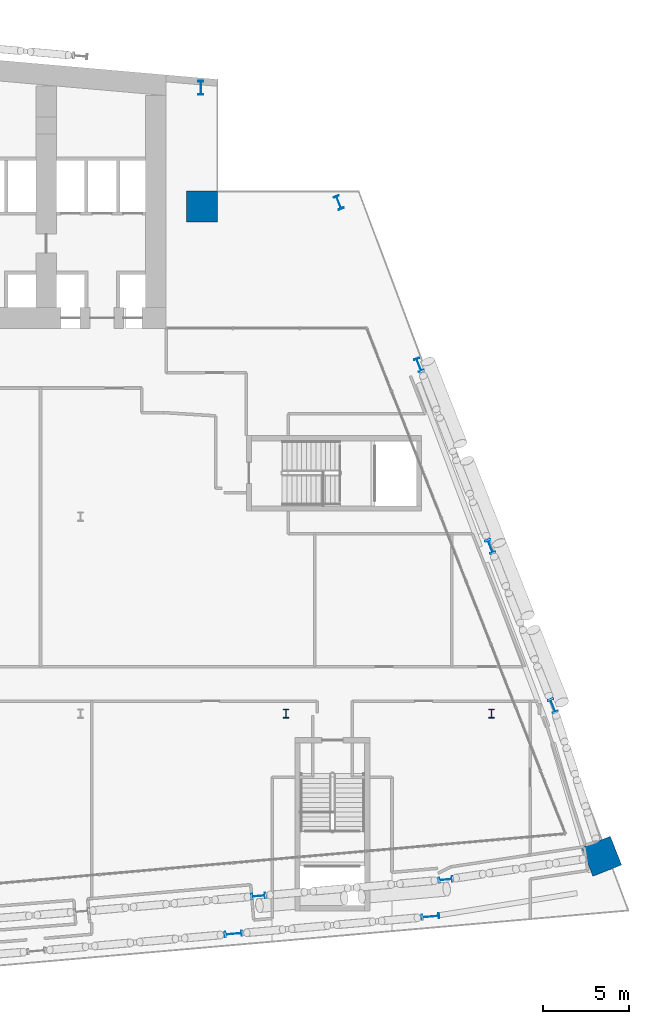
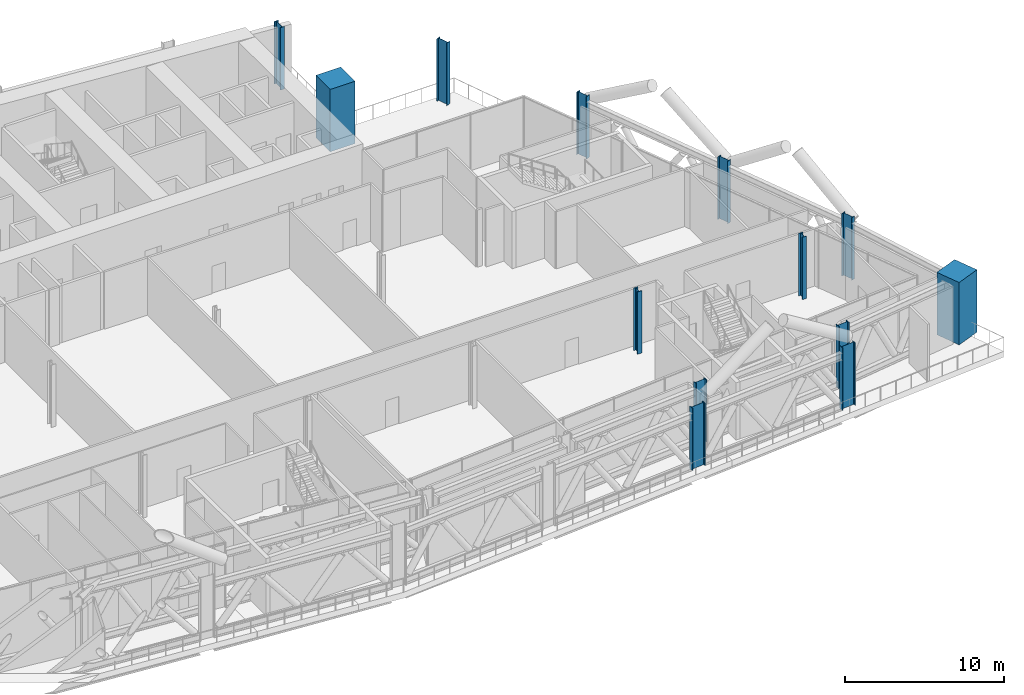
# One storey, part 4 of 39: 13 columns.
"""IFC4 building model written with IfcOpenShell, lengths in metres."""

from ifc_helpers import new_model, si_unit, direction, frame, origin, origin_2d, place, context, subcontext, project, spatial, rectangle, i_section, extrude, material, material_profile, profile_set, type_object, element, save


model = new_model("IFC4")

# Units and contexts
model_context = context("Model", 3, precision=1e-05, world=origin(), true_north=direction((0.0, 1.0)))
body_context = subcontext(model_context, "Body", "Model", "MODEL_VIEW")
ifc_project = project(units=[si_unit("LENGTHUNIT", "METRE"), si_unit("AREAUNIT", "SQUARE_METRE"), si_unit("VOLUMEUNIT", "CUBIC_METRE"), si_unit("PLANEANGLEUNIT", "RADIAN"), si_unit("MASSUNIT", "GRAM", prefix="KILO")], contexts=[model_context])

# Site, building, storey
site_placement = place(None, origin())
site = spatial("IfcSite", under=ifc_project, at=site_placement, CompositionType="ELEMENT")
building_placement = place(site_placement, origin())
building = spatial("IfcBuilding", under=site, at=building_placement, Name="Wharfspan Tower", CompositionType="ELEMENT")
storey_placement = place(building_placement, frame((0.0, 0.0, 91.899902)))
storey = spatial("IfcBuildingStorey", under=building, at=storey_placement, Name="L20", CompositionType="ELEMENT", Elevation=91.899902)

# Columns
ifc_material_1 = material(Name="Steel S355J2", Category="steel")
ifc_material_profile_1 = material_profile(ifc_material_1, i_section(OverallWidth=0.302002, OverallDepth=1.008057, WebThickness=0.020996, FlangeThickness=0.040039, FilletRadius=0.030029, at=origin_2d()))
ifc_profile_set_1 = profile_set([ifc_material_profile_1], Name="Steel S355J2")
column_type_1 = type_object("IfcColumnType", Name="Column HEM 1000", PredefinedType="COLUMN", material=ifc_profile_set_1)
for number, where, z_axis, x_axis, name in (
    (1, (68.942383, -1.354736, 0.0), (0.0, 0.0, 1.0), (0.087156, -0.996198, 0.0), "Perimeter column PS2.2.S L20"),
    (2, (80.442383, -0.348633, 0.0), (0.0, 0.0, 1.0), (0.087156, -0.996198, 0.0), "Perimeter column PS2.3.S L20"),
):
    element("IfcColumn", number, at=place(storey_placement, frame(where, z_axis=z_axis, x_axis=x_axis)), inside=storey, type_object=column_type_1, Name=name, PredefinedType="COLUMN", context=body_context, shape_type="SweptSolid", body=[
        extrude(i_section(OverallWidth=0.302002, OverallDepth=1.008057, WebThickness=0.020996, FlangeThickness=0.040039, FilletRadius=0.030029, at=origin_2d()), origin(), (0.0, 0.0, 1.0), 4.800049),
    ])
ifc_material_profile_2 = material_profile(ifc_material_1, i_section(OverallWidth=0.305908, OverallDepth=0.523926, WebThickness=0.020996, FlangeThickness=0.040039, FilletRadius=0.0271, at=origin_2d()))
ifc_profile_set_2 = profile_set([ifc_material_profile_2], Name="Steel S355J2")
column_type_2 = type_object("IfcColumnType", Name="Column HEM 500", PredefinedType="COLUMN", material=ifc_profile_set_2)
for number, where, z_axis, x_axis, name in (
    (3, (72.0, 11.5, 0.0), (0.0, 0.0, 1.0), (1.0, 0.0, 0.0), "Interior column I.1.6 L20"),
    (4, (84.0, 11.5, 0.0), (0.0, 0.0, 1.0), (1.0, 0.0, 0.0), "Interior column I.1.7 L20"),
):
    element("IfcColumn", number, at=place(storey_placement, frame(where, z_axis=z_axis, x_axis=x_axis)), inside=storey, type_object=column_type_2, Name=name, PredefinedType="COLUMN", context=body_context, shape_type="SweptSolid", body=[
        extrude(i_section(OverallWidth=0.305908, OverallDepth=0.523926, WebThickness=0.020996, FlangeThickness=0.040039, FilletRadius=0.0271, at=origin_2d()), origin(), (0.0, 0.0, 1.0), 4.800049),
    ])
ifc_material_profile_3 = material_profile(ifc_material_1, i_section(OverallWidth=0.302979, OverallDepth=0.813965, WebThickness=0.020996, FlangeThickness=0.040039, FilletRadius=0.030029, at=origin_2d()))
ifc_profile_set_3 = profile_set([ifc_material_profile_3], Name="Steel S355J2")
column_type_3 = type_object("IfcColumnType", Name="Column HEM 800", PredefinedType="COLUMN", material=ifc_profile_set_3)
for number, where, z_axis, x_axis, name in (
    (5, (70.404053, 0.852783, 0.0), (0.0, 0.0, 1.0), (0.087156, -0.996198, 0.0), "Perimeter column PS2.2 L20"),
    (6, (81.327881, 1.80835, 0.0), (0.0, 0.0, 1.0), (0.087156, -0.996198, 0.0), "Perimeter column PS2.3 L20"),
    (7, (87.586914, 11.952393, 0.0), (0.0, 0.0, 1.0), (0.930702, 0.365778, 0.0), "Perimeter column PE.1 L20"),
    (8, (83.932617, 21.250977, 0.0), (0.0, 0.0, 1.0), (0.930702, 0.365778, 0.0), "Perimeter column PE.2 L20"),
    (9, (79.765869, 31.852539, 0.0), (0.0, 0.0, 1.0), (0.930702, 0.365778, 0.0), "Perimeter column PE.3 L20"),
    (10, (75.084961, 41.337646, 0.0), (0.0, 0.0, 1.0), (0.930702, 0.365778, 0.0), "Perimeter column PE.4 L20"),
    (11, (67.031982, 48.035645, 0.0), (0.0, 0.0, 1.0), (1.0, 0.0, 0.0), "Perimeter column PNRE-V.1 L20"),
):
    element("IfcColumn", number, at=place(storey_placement, frame(where, z_axis=z_axis, x_axis=x_axis)), inside=storey, type_object=column_type_3, Name=name, PredefinedType="COLUMN", context=body_context, shape_type="SweptSolid", body=[
        extrude(i_section(OverallWidth=0.302979, OverallDepth=0.813965, WebThickness=0.020996, FlangeThickness=0.040039, FilletRadius=0.030029, at=origin_2d()), origin(), (0.0, 0.0, 1.0), 4.800049),
    ])
ifc_material_2 = material(Name="Concrete C70/85", Category="concrete")
ifc_material_profile_4 = material_profile(ifc_material_2, rectangle(XDim=1.800049, YDim=1.800049, at=origin_2d()))
ifc_profile_set_4 = profile_set([ifc_material_profile_4], Name="Concrete C70/85")
column_type_4 = type_object("IfcColumnType", Name="Mega column 1800 C70/85", PredefinedType="COLUMN", material=ifc_profile_set_4)
for number, where, z_axis, x_axis, name in (
    (12, (67.100098, 41.100098, 0.0), (0.0, 0.0, 1.0), (1.0, 0.0, 0.0), "Mega column MC3 L20"),
    (13, (90.427246, 3.174072, 0.0), (0.0, 0.0, 1.0), (-0.365778, 0.930702, 0.0), "Mega column MC4 L20"),
):
    element("IfcColumn", number, at=place(storey_placement, frame(where, z_axis=z_axis, x_axis=x_axis)), inside=storey, type_object=column_type_4, Name=name, PredefinedType="COLUMN", context=body_context, shape_type="SweptSolid", body=[
        extrude(rectangle(XDim=1.800049, YDim=1.800049, at=origin_2d()), origin(), (0.0, 0.0, 1.0), 4.800049),
    ])

save(model, "model.ifc")
